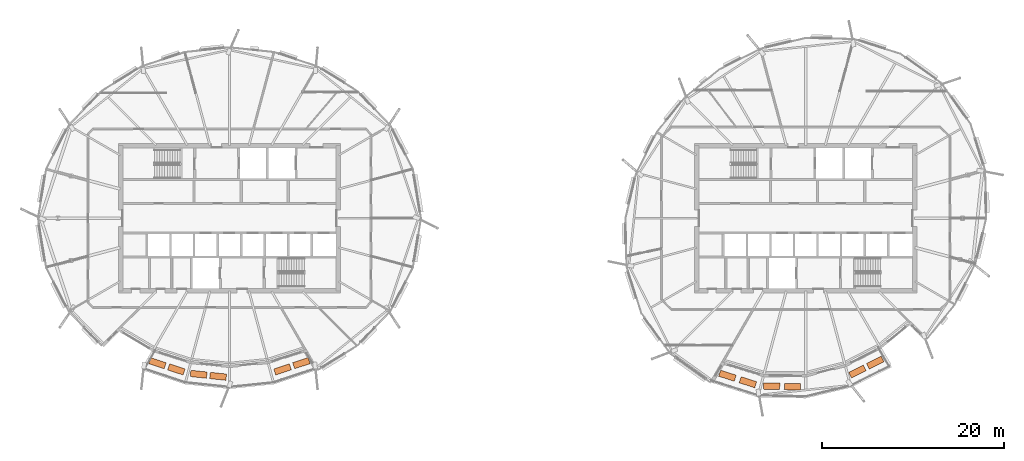
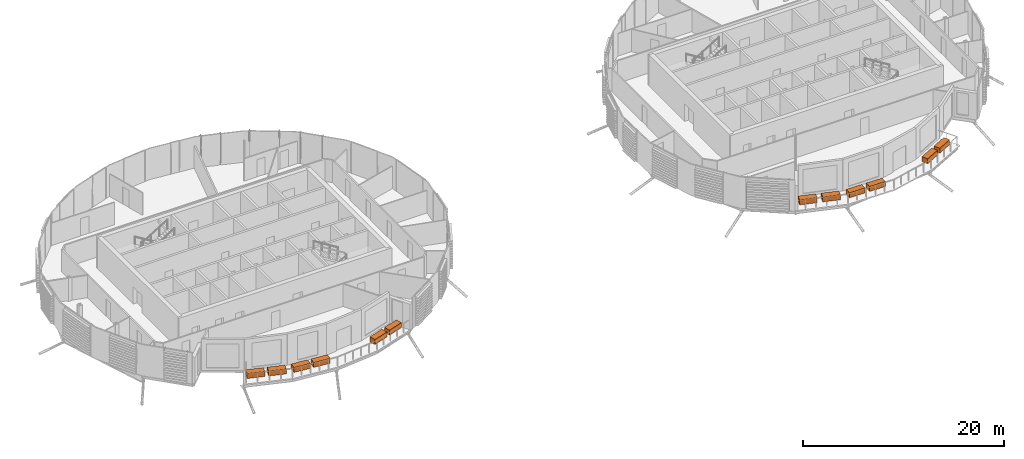
# One storey, part 41 of 41: 12 proxies.
"""IFC4 building model written with IfcOpenShell, lengths in metres."""

from ifc_helpers import new_model, si_unit, direction, frame, origin, origin_2d, place, context, subcontext, project, spatial, rectangle, extrude, material, type_object, element, save


model = new_model("IFC4")

# Units and contexts
model_context = context("Model", 3, precision=1e-05, world=origin(), true_north=direction((0.0, 1.0)))
body_context = subcontext(model_context, "Body", "Model", "MODEL_VIEW")
ifc_project = project(units=[si_unit("LENGTHUNIT", "METRE"), si_unit("AREAUNIT", "SQUARE_METRE"), si_unit("VOLUMEUNIT", "CUBIC_METRE"), si_unit("PLANEANGLEUNIT", "RADIAN"), si_unit("MASSUNIT", "GRAM", prefix="KILO")], contexts=[model_context])

# Site, building, storey
site_placement = place(None, origin())
site = spatial("IfcSite", under=ifc_project, at=site_placement, CompositionType="ELEMENT")
building_placement = place(site_placement, origin())
building = spatial("IfcBuilding", under=site, at=building_placement, Name="Rimbun Link Towers", CompositionType="ELEMENT")
storey_placement = place(building_placement, frame((0.0, 0.0, 210.5)))
storey = spatial("IfcBuildingStorey", under=building, at=storey_placement, Name="L51", CompositionType="ELEMENT", Elevation=210.5)

# Proxies
ifc_material = material(Name="Concrete C30/37", Category="concrete")
building_element_proxy_type = type_object("IfcBuildingElementProxyType", Name="PLANTER precast box 1800X700X600", PredefinedType="USERDEFINED", material=ifc_material)
for number, where, z_axis, x_axis, name in (
    (1, (-39.682373046875, -15.966064453125, 0.0), (0.0, 0.0, 1.0), (0.949231478105, -0.314578449635, 0.0), "PLANTER"),
    (2, (-37.6015625, -16.655517578125, 0.0), (0.0, 0.0, 1.0), (0.949231478105, -0.314578449635, 0.0), "PLANTER"),
    (3, (-35.1376953125, -17.190185546875, 0.0), (0.0, 0.0, 1.0), (0.994501448774, -0.104722816932, 0.0), "PLANTER"),
    (4, (-33.000244140625, -17.4150390625, 0.0), (0.0, 0.0, 1.0), (0.994501448774, -0.104722816932, 0.0), "PLANTER"),
    (5, (-25.8984375, -16.655517578125, 0.0), (0.0, 0.0, 1.0), (0.949231478105, 0.314578449635, 0.0), "PLANTER"),
    (6, (-23.817626953125, -15.966064453125, 0.0), (0.0, 0.0, 1.0), (0.949231478105, 0.314578449635, 0.0), "PLANTER"),
    (7, (23.123291015625, -17.3505859375, 0.0), (0.0, 0.0, 1.0), (0.952968975919, -0.30306786523, 0.0), "PLANTER"),
    (8, (25.3798828125, -18.068359375, 0.0), (0.0, 0.0, 1.0), (0.952968975919, -0.30306786523, 0.0), "PLANTER"),
    (9, (27.984375, -18.5068359375, 0.0), (0.0, 0.0, 1.0), (0.999778345459, -0.021053739591, 0.0), "PLANTER"),
    (10, (30.285888671875, -18.55517578125, 0.0), (0.0, 0.0, 1.0), (0.999778345459, -0.021053739591, 0.0), "PLANTER"),
    (11, (37.450927734375, -16.888427734375, 0.0), (0.0, 0.0, 1.0), (0.893650392723, 0.448763830524, 0.0), "PLANTER"),
    (12, (39.4091796875, -15.905029296875, 0.0), (0.0, 0.0, 1.0), (0.893650392723, 0.448763830524, 0.0), "PLANTER"),
):
    element("IfcBuildingElementProxy", number, at=place(storey_placement, frame(where, z_axis=z_axis, x_axis=x_axis)), inside=storey, type_object=building_element_proxy_type, Name=name, ObjectType="PLANTER", PredefinedType="USERDEFINED", context=body_context, shape_type="SweptSolid", body=[
        extrude(rectangle(XDim=1.800048828125, YDim=0.699951171875, at=origin_2d()), origin(), (0.0, 0.0, 1.0), 0.60009765625),
    ])

save(model, "model.ifc")
